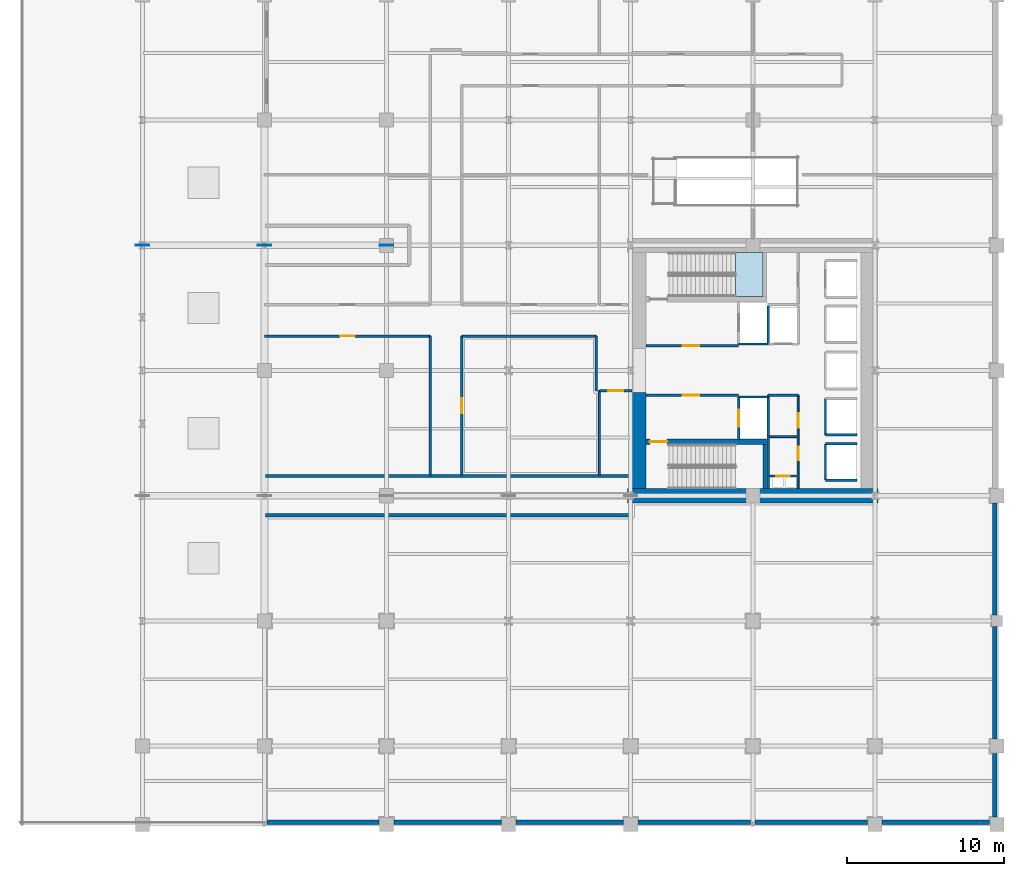
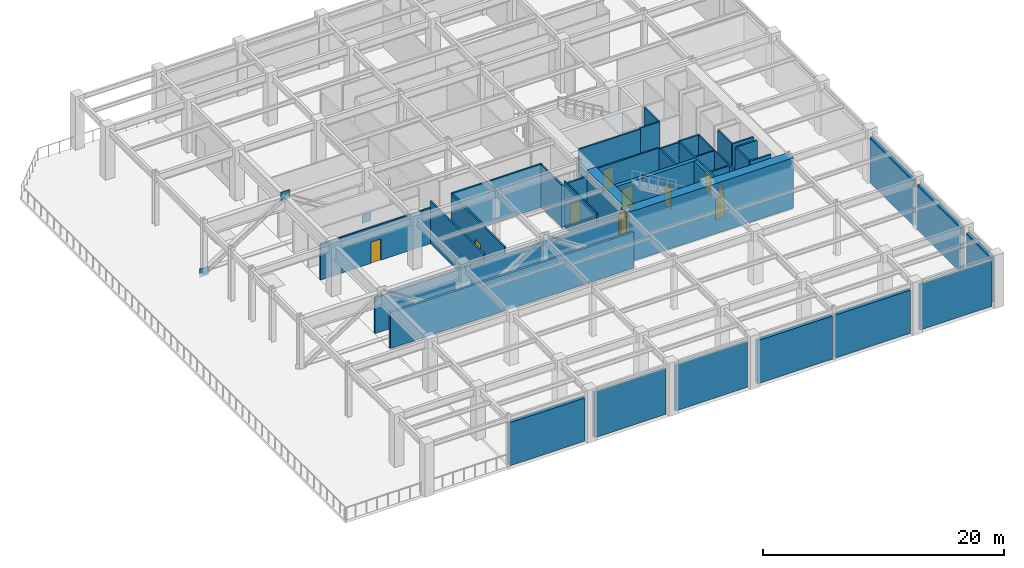
# One storey, part 8 of 14: 38 walls, 10 doors, 3 plates, 1 slab, 10 openings, 1 element without a shape of its own.
"""IFC4 building model written with IfcOpenShell, lengths in metres."""

import ifcopenshell
import ifcopenshell.guid

model = None  # the IFC model being written
_history = None  # IfcOwnerHistory: only IFC2X3 demands one
_inside = {}  # id of a spatial element -> (the spatial element, [elements in it])
_under = {}  # id of a project, library or spatial element -> (it, [spatial elements below it])
_declared = {}  # id of a project -> (the project, [libraries it declares])
_typed = {}  # id of a type object -> (the type object, [elements of that type])
_made_of = {}  # id of a material, layer set ... -> (it, [elements and type objects made of it])


def new_model(schema):
    """Start an empty IFC model of exactly this schema.

    Asked for "IFC4X3", IfcOpenShell would pick the latest addendum, in which some entities
    have other attributes; the version numbers below select the first issue.
    IFC2X3 requires an IfcOwnerHistory on every rooted entity: one is made here for all.
    """
    global model, _history
    if schema == "IFC4X3":
        model = ifcopenshell.file(schema_version=(4, 3, 0, 0))
    else:
        model = ifcopenshell.file(schema=schema)
    _inside.clear()
    _under.clear()
    _declared.clear()
    _typed.clear()
    _made_of.clear()
    _history = None
    if model.schema == "IFC2X3":
        org = make("IfcOrganization", Name="unknown")
        user = make(
            "IfcPersonAndOrganization",
            ThePerson=make("IfcPerson", FamilyName="unknown"),
            TheOrganization=org,
        )
        app = make(
            "IfcApplication",
            ApplicationDeveloper=org,
            Version="unknown",
            ApplicationFullName="unknown",
            ApplicationIdentifier="unknown",
        )
        _history = make(
            "IfcOwnerHistory",
            OwningUser=user,
            OwningApplication=app,
            ChangeAction="ADDED",
            CreationDate=0,
        )
    return model


def make(cls, **values):
    """One entity of the class cls with the attributes given. An attribute that is None is left unset."""
    return model.create_entity(
        cls, **{name: value for name, value in values.items() if value is not None}
    )


def rooted(cls, **values):
    """An entity with a GlobalId (a new one), such as an element, a storey or a relation."""
    return make(cls, GlobalId=ifcopenshell.guid.new(), OwnerHistory=_history, **values)


def si_unit(unit_type, name, prefix=None):
    """IfcSIUnit, for example si_unit("LENGTHUNIT", "METRE", prefix="MILLI")."""
    return make("IfcSIUnit", UnitType=unit_type, Prefix=prefix, Name=name)


def assignment(units):
    """IfcUnitAssignment: the units of a project."""
    return None if units is None else make("IfcUnitAssignment", Units=units)


def point(xyz):
    """IfcCartesianPoint."""
    return None if xyz is None else make("IfcCartesianPoint", Coordinates=xyz)


def direction(xyz):
    """IfcDirection."""
    return None if xyz is None else make("IfcDirection", DirectionRatios=xyz)


def frame(location, z_axis=None, x_axis=None):
    """IfcAxis2Placement3D, a coordinate frame: its origin and axes. An axis left out is left unset."""
    return make(
        "IfcAxis2Placement3D",
        Location=point(location),
        Axis=direction(z_axis),
        RefDirection=direction(x_axis),
    )


def frame_2d(location, x_axis=None):
    """IfcAxis2Placement2D, a coordinate frame in the plane: its origin and x axis."""
    return make(
        "IfcAxis2Placement2D", Location=point(location), RefDirection=direction(x_axis)
    )


def origin():
    """The frame at (0, 0, 0) with its axes left unset."""
    return frame((0.0, 0.0, 0.0))


def origin_2d():
    """The frame at (0, 0) in the plane with its x axis left unset."""
    return frame_2d((0.0, 0.0))


def place(relative_to, where):
    """IfcLocalPlacement: puts the frame where relative to a parent placement (None: the world)."""
    return make(
        "IfcLocalPlacement", PlacementRelTo=relative_to, RelativePlacement=where
    )


def context(
    kind, dimensions, precision=None, world=None, true_north=None, identifier=None
):
    """IfcGeometricRepresentationContext, for example the 3D "Model" context."""
    return make(
        "IfcGeometricRepresentationContext",
        ContextIdentifier=identifier,
        ContextType=kind,
        CoordinateSpaceDimension=dimensions,
        Precision=precision,
        WorldCoordinateSystem=world,
        TrueNorth=true_north,
    )


def subcontext(parent, identifier, kind, view, scale=None):
    """IfcGeometricRepresentationSubContext, for example "Body" below "Model"."""
    return make(
        "IfcGeometricRepresentationSubContext",
        ContextIdentifier=identifier,
        ContextType=kind,
        ParentContext=parent,
        TargetScale=scale,
        TargetView=view,
    )


def project(units=None, contexts=None):
    """IfcProject with its units and contexts."""
    return rooted(
        "IfcProject",
        Name="project",
        RepresentationContexts=contexts,
        UnitsInContext=assignment(units),
    )


def spatial(cls, under=None, at=None, **own):
    """A site, building, storey or space (cls), placed at a placement, below another one or the project."""
    s = rooted(cls, ObjectPlacement=at, **own)
    if under is not None:
        _under.setdefault(under.id(), (under, []))[1].append(s)
    return s


def polyline(points):
    """IfcPolyline through the points."""
    return make("IfcPolyline", Points=[point(p) for p in points])


def profile(cls, at=None, kind="AREA", **sizes):
    """A parametric profile (cls). Its sizes go by their IFC names, for example OverallWidth=200.0."""
    return make(cls, ProfileType=kind, Position=at, **sizes)


def rectangle(**sizes):
    """IfcRectangleProfileDef."""
    return profile("IfcRectangleProfileDef", **sizes)


def outline(outer, holes=None, kind="AREA"):
    """IfcArbitraryClosedProfileDef: a profile drawn as a closed curve; with holes, ...WithVoids."""
    if holes is None:
        return make("IfcArbitraryClosedProfileDef", ProfileType=kind, OuterCurve=outer)
    return make(
        "IfcArbitraryProfileDefWithVoids",
        ProfileType=kind,
        OuterCurve=outer,
        InnerCurves=holes,
    )


def extrude(swept, where, along, depth):
    """IfcExtrudedAreaSolid: the profile swept, set in the frame where, extruded along a direction by depth."""
    return make(
        "IfcExtrudedAreaSolid",
        SweptArea=swept,
        Position=where,
        ExtrudedDirection=direction(along),
        Depth=depth,
    )


def shape(context_of_items, identifier, shape_type, items):
    """IfcShapeRepresentation: the items that make up one representation, for example the "Body"."""
    return make(
        "IfcShapeRepresentation",
        ContextOfItems=context_of_items,
        RepresentationIdentifier=identifier,
        RepresentationType=shape_type,
        Items=items,
    )


def material(Name=None, Category=None):
    """IfcMaterial."""
    return make("IfcMaterial", Name=Name, Category=Category)


def layer(
    of_material, thickness, ventilated=None, Name=None, Category=None, Priority=None
):
    """IfcMaterialLayer: one layer of a wall or slab, of a material (None: an air gap)."""
    return make(
        "IfcMaterialLayer",
        Material=of_material,
        LayerThickness=thickness,
        IsVentilated=ventilated,
        Name=Name,
        Category=Category,
        Priority=Priority,
    )


def layer_set(layers, Name=None):
    """IfcMaterialLayerSet."""
    return make("IfcMaterialLayerSet", MaterialLayers=layers, LayerSetName=Name)


def made_of(thing, what):
    """Note that an element or type object is made of a material, layer set ...; save() writes the relation."""
    if what is not None:
        _made_of.setdefault(what.id(), (what, []))[1].append(thing)
    return thing


def type_object(cls, material=None, **own):
    """A type object (cls), such as IfcWallType, which elements share."""
    return made_of(rooted(cls, **own), material)


def element(
    cls,
    number,
    at=None,
    inside=None,
    cuts=None,
    type_object=None,
    material=None,
    context=None,
    identifier="Body",
    shape_type=None,
    held_by="IfcProductDefinitionShape",
    body=None,
    shapes=None,
    **own,
):
    """One element of the class cls, such as IfcWall. Its Tag is "e" and its number.

    at: its placement. inside: the storey or other place that contains it. cuts: it is an
    opening in that element (IfcRelVoidsElement). A single representation is given by context,
    identifier, shape_type and body (its items); several are given by shapes. held_by: the class
    of the entity that holds the representations. save() writes the other relations.
    """
    e = rooted(cls, Tag="e%d" % number, ObjectPlacement=at, **own)
    if body is not None:
        shapes = [shape(context, identifier, shape_type, body)]
    if shapes is not None:
        e.Representation = make(held_by, Representations=shapes)
    if inside is not None:
        _inside.setdefault(inside.id(), (inside, []))[1].append(e)
    if cuts is not None:
        rooted(
            "IfcRelVoidsElement", RelatingBuildingElement=cuts, RelatedOpeningElement=e
        )
    if type_object is not None:
        _typed.setdefault(type_object.id(), (type_object, []))[1].append(e)
    return made_of(e, material)


def fill(opening, filler):
    """IfcRelFillsElement: the door or window that sits in an opening."""
    return rooted(
        "IfcRelFillsElement",
        RelatingOpeningElement=opening,
        RelatedBuildingElement=filler,
    )


def aggregate(whole, parts):
    """IfcRelAggregates: a whole, such as a stair, and the parts it consists of."""
    return rooted("IfcRelAggregates", RelatingObject=whole, RelatedObjects=parts)


def save(model, path):
    """Write the relations noted so far, then the file.

    IfcRelAggregates (storeys below a building ...), IfcRelContainedInSpatialStructure (elements
    in a storey), IfcRelDefinesByType, IfcRelAssociatesMaterial and IfcRelDeclares: one each for
    every whole, place, type object, material and project.
    """
    for whole, parts in _under.values():
        aggregate(whole, parts)
    for where, things in _inside.values():
        rooted(
            "IfcRelContainedInSpatialStructure",
            RelatedElements=things,
            RelatingStructure=where,
        )
    for kind, things in _typed.values():
        rooted("IfcRelDefinesByType", RelatedObjects=things, RelatingType=kind)
    for what, things in _made_of.values():
        rooted("IfcRelAssociatesMaterial", RelatedObjects=things, RelatingMaterial=what)
    for by, libraries in _declared.values():
        rooted("IfcRelDeclares", RelatingContext=by, RelatedDefinitions=libraries)
    model.write(path)


model = new_model("IFC4")

# Units and contexts
model_context = context("Model", 3, precision=1e-05, world=origin(), true_north=direction((0.0, 1.0)))
body_context = subcontext(model_context, "Body", "Model", "MODEL_VIEW")
ifc_project = project(units=[si_unit("LENGTHUNIT", "METRE"), si_unit("AREAUNIT", "SQUARE_METRE"), si_unit("VOLUMEUNIT", "CUBIC_METRE"), si_unit("PLANEANGLEUNIT", "RADIAN"), si_unit("MASSUNIT", "GRAM", prefix="KILO")], contexts=[model_context])

# Site, building, storey
site_placement = place(None, origin())
site = spatial("IfcSite", under=ifc_project, at=site_placement, CompositionType="ELEMENT")
building_placement = place(site_placement, origin())
building = spatial("IfcBuilding", under=site, at=building_placement, Name="Veymaron Broadcast Tower", CompositionType="ELEMENT")
storey_placement = place(building_placement, frame((0.0, 0.0, 27.0)))
storey = spatial("IfcBuildingStorey", under=building, at=storey_placement, Name="L05", CompositionType="ELEMENT", Elevation=27.0)

# Plates
ifc_material_1 = material(Name="Structural steel ASTM A913 Gr 65", Category="steel")
ifc_layer_1 = layer(ifc_material_1, 0.044921875)
ifc_layer_set_1 = layer_set([ifc_layer_1], Name="Structural steel ASTM A913 Gr 65")
plate_type = type_object("IfcPlateType", Name="PLT-NODE-TN1", PredefinedType="SHEET", material=ifc_layer_set_1)
for number, where, z_axis, x_axis, name in (
    (1, (7.800048828125, 32.0, -0.405029296875), (0.0, 0.0, 1.0), (1.0, 0.0, 0.0), "L05 Studio Transfer Truss TT2 gusset node TN1"),
    (2, (15.60009765625, 32.0, 4.635009765625), (0.0, 0.0, 1.0), (1.0, 0.0, 0.0), "L05 Studio Transfer Truss TT2 gusset node TN1"),
    (3, (23.39990234375, 32.0, -0.405029296875), (0.0, 0.0, 1.0), (1.0, 0.0, 0.0), "L05 Studio Transfer Truss TT2 gusset node TN1"),
):
    element("IfcPlate", number, at=place(storey_placement, frame(where, z_axis=z_axis, x_axis=x_axis)), inside=storey, type_object=plate_type, Name=name, PredefinedType="SHEET", context=body_context, shape_type="SweptSolid", body=[
        extrude(rectangle(XDim=0.85009765625, YDim=0.044921875, at=origin_2d()), origin(), (0.0, 0.0, 1.0), 0.85009765625),
    ])

# Stair, slab
ifc_material_2 = material(Name="Concrete C50/60", Category="concrete")
stair_type = type_object("IfcStairType", Name="STAIR-CORE-1", PredefinedType="HALF_TURN_STAIR", material=ifc_material_2)
stair_placement = place(storey_placement, origin())
stair = element("IfcStair", 4, at=stair_placement, inside=storey, type_object=stair_type, Name="L05 North protected dog-leg exit stair ST1", PredefinedType="HALF_TURN_STAIR")
ifc_layer_2 = layer(ifc_material_2, 0.199951171875)
ifc_layer_set_2 = layer_set([ifc_layer_2], Name="Concrete C50/60")
slab_type = type_object("IfcSlabType", Name="SLAB-STAIR-LDG", PredefinedType="LANDING", material=ifc_layer_set_2)
slab_placement = place(storey_placement, frame((0.0, 0.0, 2.5)))
slab = element("IfcSlab", 5, at=slab_placement, type_object=slab_type, Name="ST1 landing 1", PredefinedType="LANDING", context=body_context, shape_type="SweptSolid", body=[
    extrude(outline(polyline([(45.705078125, 28.72998046875), (47.43994140625, 28.72998046875), (47.43994140625, 31.550048828125), (45.705078125, 31.550048828125), (45.705078125, 28.72998046875)])), origin(), (0.0, 0.0, 1.0), 0.199951171875),
])
aggregate(stair, [slab])

# Walls
ifc_material_3 = material(Name="Precast concrete C40/50 with mineral-wool insulation", Category="concrete")
ifc_layer_3 = layer(ifc_material_3, 0.300048828125)
ifc_layer_set_3 = layer_set([ifc_layer_3], Name="Precast concrete C40/50 with mineral-wool insulation")
wall_type_1 = type_object("IfcWallType", Name="WALL-EXT-300", PredefinedType="STANDARD", material=ifc_layer_set_3)
wall_1_placement = place(storey_placement, frame((15.74609375, -4.860107421875, 0.0), z_axis=(0.0, 0.0, 1.0), x_axis=(1.0, 0.0, 0.0)))
element("IfcWall", 6, at=wall_1_placement, inside=storey, type_object=wall_type_1, Name="L05 notched corner facade pier 2-1", PredefinedType="STANDARD", context=body_context, shape_type="SweptSolid", body=[
    extrude(rectangle(XDim=7.185791015625, YDim=0.300048828125, at=frame_2d((3.5927734375, 0.0))), origin(), (0.0, 0.0, 1.0), 4.375),
])
for number, where, z_axis, x_axis, name in (
    (7, (23.867919921875, -4.860107421875, 0.0), (0.0, 0.0, 1.0), (1.0, 0.0, 0.0), "L05 notched corner facade pier 2-2"),
    (8, (31.66796875, -4.860107421875, 0.0), (0.0, 0.0, 1.0), (1.0, 0.0, 0.0), "L05 notched corner facade pier 2-3"),
):
    element("IfcWall", number, at=place(storey_placement, frame(where, z_axis=z_axis, x_axis=x_axis)), inside=storey, type_object=wall_type_1, Name=name, PredefinedType="STANDARD", context=body_context, shape_type="SweptSolid", body=[
        extrude(rectangle(XDim=6.864013671875, YDim=0.300048828125, at=frame_2d((3.43212890625, 0.0))), origin(), (0.0, 0.0, 1.0), 4.60791015625),
    ])
for number, where, z_axis, x_axis, name in (
    (9, (39.468017578125, -4.860107421875, 0.0), (0.0, 0.0, 1.0), (1.0, 0.0, 0.0), "L05 notched corner facade pier 2-4"),
    (10, (46.946044921875, -4.860107421875, 0.0), (0.0, 0.0, 1.0), (1.0, 0.0, 0.0), "L05 notched corner facade pier 2-5"),
):
    element("IfcWall", number, at=place(storey_placement, frame(where, z_axis=z_axis, x_axis=x_axis)), inside=storey, type_object=wall_type_1, Name=name, PredefinedType="STANDARD", context=body_context, shape_type="SweptSolid", body=[
        extrude(rectangle(XDim=7.18603515625, YDim=0.300048828125, at=frame_2d((3.593017578125, 0.0))), origin(), (0.0, 0.0, 1.0), 4.375),
    ])
wall_2_placement = place(storey_placement, frame((55.068115234375, -4.860107421875, 0.0), z_axis=(0.0, 0.0, 1.0), x_axis=(1.0, 0.0, 0.0)))
element("IfcWall", 11, at=wall_2_placement, inside=storey, type_object=wall_type_1, Name="L05 notched corner facade pier 2-6", PredefinedType="STANDARD", context=body_context, shape_type="SweptSolid", body=[
    extrude(rectangle(XDim=6.86376953125, YDim=0.300048828125, at=frame_2d((3.431884765625, 0.0))), origin(), (0.0, 0.0, 1.0), 4.60791015625),
])
wall_3_placement = place(storey_placement, frame((62.260009765625, -4.531982421875, 0.0), z_axis=(0.0, 0.0, 1.0), x_axis=(0.0, 1.0, 0.0)))
element("IfcWall", 12, at=wall_3_placement, inside=storey, type_object=wall_type_1, Name="L05 notched corner facade pier 3-1", PredefinedType="STANDARD", context=body_context, shape_type="SweptSolid", body=[
    extrude(rectangle(XDim=4.06396484375, YDim=0.300048828125, at=frame_2d((2.031982421875, 0.0))), origin(), (0.0, 0.0, 1.0), 4.60791015625),
])
for number, where, z_axis, x_axis, name in (
    (13, (62.260009765625, 0.468017578125, 0.0), (0.0, 0.0, 1.0), (0.0, 1.0, 0.0), "L05 notched corner facade pier 3-2"),
    (14, (62.260009765625, 8.367919921875, 0.0), (0.0, 0.0, 1.0), (0.0, 1.0, 0.0), "L05 notched corner facade pier 3-3"),
):
    element("IfcWall", number, at=place(storey_placement, frame(where, z_axis=z_axis, x_axis=x_axis)), inside=storey, type_object=wall_type_1, Name=name, PredefinedType="STANDARD", context=body_context, shape_type="SweptSolid", body=[
        extrude(rectangle(XDim=7.1640625, YDim=0.300048828125, at=frame_2d((3.58203125, 0.0))), origin(), (0.0, 0.0, 1.0), 4.60791015625),
    ])

# Wall, opening, door
ifc_material_4 = material(Name="Gypsum fireboard and steel stud framing", Category="steel")
ifc_layer_4 = layer(ifc_material_4, 0.14990234375)
ifc_layer_set_4 = layer_set([ifc_layer_4], Name="Gypsum fireboard and steel stud framing")
wall_type_2 = type_object("IfcWallType", Name="WALL-FIRE-150", PredefinedType="PARTITIONING", material=ifc_layer_set_4)
wall_4_placement = place(storey_placement, frame((39.97998046875, 25.574951171875, 0.0), z_axis=(0.0, 0.0, 1.0), x_axis=(1.0, 0.0, 0.0)))
wall_4 = element("IfcWall", 15, at=wall_4_placement, inside=storey, type_object=wall_type_2, Name="L05 partition IW-L05-FFLN-S", PredefinedType="PARTITIONING", context=body_context, shape_type="SweptSolid", body=[
    extrude(rectangle(XDim=5.89990234375, YDim=0.14990234375, at=frame_2d((2.949951171875, 0.0))), origin(), (0.0, 0.0, 1.0), 5.080078125),
])
opening_1_placement = place(wall_4_placement, frame((2.35009765625, 0.0, 0.0)))
opening_1 = element("IfcOpeningElement", 16, at=opening_1_placement, cuts=wall_4, Name="Opening ID-FL1", PredefinedType="OPENING", context=body_context, shape_type="SweptSolid", body=[
    extrude(rectangle(XDim=1.050048828125, YDim=2.14990234375, at=frame_2d((0.52490234375, 1.074951171875))), frame((0.0, 0.0849609375, 0.0), z_axis=(0.0, -1.0, 0.0), x_axis=(1.0, 0.0, 0.0)), (0.0, 0.0, 1.0), 0.169921875),
])
ifc_material_5 = material(Name="Fire-rated painted hollow steel ASTM A653", Category="steel")
door_type_1 = type_object("IfcDoorType", Name="DOOR-FIRE-1050", OperationType="NOTDEFINED", PredefinedType="DOOR", material=ifc_material_5)
door_1_placement = place(opening_1_placement, origin())
door_1 = element("IfcDoor", 17, at=door_1_placement, inside=storey, type_object=door_type_1, Name="L05 door DR-L05-FFLN", OperationType="SINGLE_SWING_LEFT", OverallHeight=2.14990234375, OverallWidth=1.050048828125, PredefinedType="DOOR", context=body_context, shape_type="SweptSolid", body=[
    extrude(rectangle(XDim=1.050048828125, YDim=2.14990234375, at=frame_2d((0.52490234375, 1.074951171875))), frame((0.0, 0.02490234375, 0.0), z_axis=(0.0, -1.0, 0.0), x_axis=(1.0, 0.0, 0.0)), (0.0, 0.0, 1.0), 0.050048828125),
])
fill(opening_1, door_1)

wall_5_placement = place(storey_placement, frame((39.97998046875, 22.425048828125, 0.0), z_axis=(0.0, 0.0, 1.0), x_axis=(1.0, 0.0, 0.0)))
wall_5 = element("IfcWall", 18, at=wall_5_placement, inside=storey, type_object=wall_type_2, Name="L05 partition IW-L05-FFLS-N", PredefinedType="PARTITIONING", context=body_context, shape_type="SweptSolid", body=[
    extrude(rectangle(XDim=5.89990234375, YDim=0.14990234375, at=frame_2d((2.949951171875, 0.0))), origin(), (0.0, 0.0, 1.0), 5.080078125),
])
opening_2_placement = place(wall_5_placement, frame((2.35009765625, 0.0, 0.0)))
opening_2 = element("IfcOpeningElement", 19, at=opening_2_placement, cuts=wall_5, Name="Opening ID-FL1", PredefinedType="OPENING", context=body_context, shape_type="SweptSolid", body=[
    extrude(rectangle(XDim=1.050048828125, YDim=2.14990234375, at=frame_2d((0.52490234375, 1.074951171875))), frame((0.0, 0.0849609375, 0.0), z_axis=(0.0, -1.0, 0.0), x_axis=(1.0, 0.0, 0.0)), (0.0, 0.0, 1.0), 0.169921875),
])
door_2_placement = place(opening_2_placement, frame((1.050048828125, 0.0, 0.0), z_axis=(0.0, 0.0, 1.0), x_axis=(-1.0, 0.0, 0.0)))
door_2 = element("IfcDoor", 20, at=door_2_placement, inside=storey, type_object=door_type_1, Name="L05 door DR-L05-FFLS", OperationType="SINGLE_SWING_RIGHT", OverallHeight=2.14990234375, OverallWidth=1.050048828125, PredefinedType="DOOR", context=body_context, shape_type="SweptSolid", body=[
    extrude(rectangle(XDim=1.050048828125, YDim=2.14990234375, at=frame_2d((0.52490234375, 1.074951171875))), frame((0.0, 0.02490234375, 0.0), z_axis=(0.0, -1.0, 0.0), x_axis=(1.0, 0.0, 0.0)), (0.0, 0.0, 1.0), 0.050048828125),
])
fill(opening_2, door_2)

# Wall
wall_6_placement = place(storey_placement, frame((45.89501953125, 25.68994140625, 0.0), z_axis=(0.0, 0.0, 1.0), x_axis=(1.0, 0.0, 0.0)))
element("IfcWall", 21, at=wall_6_placement, inside=storey, type_object=wall_type_2, Name="L05 partition IW-L05-SHS-FFL-1", PredefinedType="PARTITIONING", context=body_context, shape_type="SweptSolid", body=[
    extrude(rectangle(XDim=1.9150390625, YDim=0.14990234375, at=frame_2d((0.95751953125, 0.0))), origin(), (0.0, 0.0, 1.0), 5.080078125),
])

# Wall, opening, door
wall_7_placement = place(storey_placement, frame((45.89501953125, 19.590087890625, 0.0), z_axis=(0.0, 0.0, 1.0), x_axis=(0.0, 1.0, 0.0)))
wall_7 = element("IfcWall", 22, at=wall_7_placement, inside=storey, type_object=wall_type_2, Name="L05 partition IW-L05-SHW-FFL-2", PredefinedType="PARTITIONING", context=body_context, shape_type="SweptSolid", body=[
    extrude(rectangle(XDim=2.719970703125, YDim=0.14990234375, at=frame_2d((1.35986328125, 0.0))), origin(), (0.0, 0.0, 1.0), 5.080078125),
])
opening_3_placement = place(wall_7_placement, frame((0.81005859375, 0.0, 0.0)))
opening_3 = element("IfcOpeningElement", 23, at=opening_3_placement, cuts=wall_7, Name="Opening LD", PredefinedType="OPENING", context=body_context, shape_type="SweptSolid", body=[
    extrude(rectangle(XDim=1.10009765625, YDim=2.14990234375, at=frame_2d((0.550048828125, 1.074951171875))), frame((0.0, 0.0849609375, 0.0), z_axis=(0.0, -1.0, 0.0), x_axis=(1.0, 0.0, 0.0)), (0.0, 0.0, 1.0), 0.169921875),
])
ifc_material_6 = material(Name="Brushed stainless steel AISI 304", Category="steel")
door_type_2 = type_object("IfcDoorType", Name="DOOR-LIFT-1100", OperationType="DOUBLE_DOOR_SLIDING", PredefinedType="DOOR", material=ifc_material_6)
door_3_placement = place(opening_3_placement, frame((1.10009765625, 0.0, 0.0), z_axis=(0.0, 0.0, 1.0), x_axis=(-1.0, 0.0, 0.0)))
door_3 = element("IfcDoor", 24, at=door_3_placement, inside=storey, type_object=door_type_2, Name="L05 door LD-L05-FFL-2", OperationType="DOUBLE_DOOR_SLIDING", OverallHeight=2.14990234375, OverallWidth=1.10009765625, PredefinedType="DOOR", context=body_context, shape_type="SweptSolid", body=[
    extrude(rectangle(XDim=1.10009765625, YDim=2.14990234375, at=frame_2d((0.550048828125, 1.074951171875))), frame((0.0, 0.02490234375, 0.0), z_axis=(0.0, -1.0, 0.0), x_axis=(1.0, 0.0, 0.0)), (0.0, 0.0, 1.0), 0.050048828125),
])
fill(opening_3, door_3)

# Walls
wall_8_placement = place(storey_placement, frame((45.89501953125, 22.31005859375, 0.0), z_axis=(0.0, 0.0, 1.0), x_axis=(1.0, 0.0, 0.0)))
element("IfcWall", 25, at=wall_8_placement, inside=storey, type_object=wall_type_2, Name="L05 partition IW-L05-SHN-FFL-2", PredefinedType="PARTITIONING", context=body_context, shape_type="SweptSolid", body=[
    extrude(rectangle(XDim=1.9150390625, YDim=0.14990234375, at=frame_2d((0.95751953125, 0.0))), origin(), (0.0, 0.0, 1.0), 5.080078125),
])
wall_9_placement = place(storey_placement, frame((47.7900390625, 25.695068359375, 0.0), z_axis=(0.0, 0.0, 1.0), x_axis=(0.0, 1.0, 0.0)))
element("IfcWall", 26, at=wall_9_placement, inside=storey, type_object=wall_type_2, Name="L05 partition IW-L05-SHW-SL-1", PredefinedType="PARTITIONING", context=body_context, shape_type="SweptSolid", body=[
    extrude(rectangle(XDim=2.4150390625, YDim=0.14990234375, at=frame_2d((1.20751953125, 0.0))), origin(), (0.0, 0.0, 1.0), 5.080078125),
])
wall_10_placement = place(storey_placement, frame((51.445068359375, 19.889892578125, 0.0), z_axis=(0.0, 0.0, 1.0), x_axis=(0.0, 1.0, 0.0)))
element("IfcWall", 27, at=wall_10_placement, inside=storey, type_object=wall_type_2, Name="L05 partition IW-L05-SHW-PM2", PredefinedType="PARTITIONING", context=body_context, shape_type="SweptSolid", body=[
    extrude(rectangle(XDim=2.320068359375, YDim=0.14990234375, at=frame_2d((1.16015625, 0.0))), origin(), (0.0, 0.0, 1.0), 5.080078125),
])
wall_11_placement = place(storey_placement, frame((51.445068359375, 19.889892578125, 0.0), z_axis=(0.0, 0.0, 1.0), x_axis=(1.0, 0.0, 0.0)))
element("IfcWall", 28, at=wall_11_placement, inside=storey, type_object=wall_type_2, Name="L05 partition IW-L05-SHS-PM2", PredefinedType="PARTITIONING", context=body_context, shape_type="SweptSolid", body=[
    extrude(rectangle(XDim=2.014892578125, YDim=0.14990234375, at=frame_2d((1.00732421875, 0.0))), origin(), (0.0, 0.0, 1.0), 5.080078125),
])
wall_12_placement = place(storey_placement, frame((51.445068359375, 16.989990234375, 0.0), z_axis=(0.0, 0.0, 1.0), x_axis=(0.0, 1.0, 0.0)))
element("IfcWall", 29, at=wall_12_placement, inside=storey, type_object=wall_type_2, Name="L05 partition IW-L05-SHW-PH1", PredefinedType="PARTITIONING", context=body_context, shape_type="SweptSolid", body=[
    extrude(rectangle(XDim=2.320068359375, YDim=0.14990234375, at=frame_2d((1.16015625, 0.0))), origin(), (0.0, 0.0, 1.0), 5.080078125),
])
for number, where, z_axis, x_axis, name in (
    (30, (51.445068359375, 16.989990234375, 0.0), (0.0, 0.0, 1.0), (1.0, 0.0, 0.0), "L05 partition IW-L05-SHS-PH1"),
    (31, (51.445068359375, 19.31005859375, 0.0), (0.0, 0.0, 1.0), (1.0, 0.0, 0.0), "L05 partition IW-L05-SHN-PH1"),
):
    element("IfcWall", number, at=place(storey_placement, frame(where, z_axis=z_axis, x_axis=x_axis)), inside=storey, type_object=wall_type_2, Name=name, PredefinedType="PARTITIONING", context=body_context, shape_type="SweptSolid", body=[
        extrude(rectangle(XDim=2.014892578125, YDim=0.14990234375, at=frame_2d((1.00732421875, 0.0))), origin(), (0.0, 0.0, 1.0), 5.080078125),
    ])

# Wall, opening, door
wall_13_placement = place(storey_placement, frame((47.8798828125, 17.260009765625, 0.0), z_axis=(0.0, 0.0, 1.0), x_axis=(1.0, 0.0, 0.0)))
wall_13 = element("IfcWall", 32, at=wall_13_placement, inside=storey, type_object=wall_type_2, Name="L05 partition IW-L05-RIS-N", PredefinedType="PARTITIONING", context=body_context, shape_type="SweptSolid", body=[
    extrude(rectangle(XDim=1.72021484375, YDim=0.14990234375, at=frame_2d((0.860107421875, 0.0))), origin(), (0.0, 0.0, 1.0), 5.080078125),
])
opening_4_placement = place(wall_13_placement, frame((0.419921875, 0.0, 0.0)))
opening_4 = element("IfcOpeningElement", 33, at=opening_4_placement, cuts=wall_13, Name="Opening ID-RS1", PredefinedType="OPENING", context=body_context, shape_type="SweptSolid", body=[
    extrude(rectangle(XDim=0.85009765625, YDim=2.14990234375, at=frame_2d((0.425048828125, 1.074951171875))), frame((0.0, 0.0849609375, 0.0), z_axis=(0.0, -1.0, 0.0), x_axis=(1.0, 0.0, 0.0)), (0.0, 0.0, 1.0), 0.169921875),
])
ifc_material_7 = material(Name="Fire-rated powder-coated steel riser leaf", Category="steel")
door_type_3 = type_object("IfcDoorType", Name="DOOR-RIS-850", OperationType="NOTDEFINED", PredefinedType="TRAPDOOR", material=ifc_material_7)
door_4_placement = place(opening_4_placement, origin())
door_4 = element("IfcDoor", 34, at=door_4_placement, inside=storey, type_object=door_type_3, Name="L05 door DR-L05-RIS", OperationType="SINGLE_SWING_LEFT", OverallHeight=2.14990234375, OverallWidth=0.85009765625, PredefinedType="TRAPDOOR", context=body_context, shape_type="SweptSolid", body=[
    extrude(rectangle(XDim=0.85009765625, YDim=2.14990234375, at=frame_2d((0.425048828125, 1.074951171875))), frame((0.0, 0.02490234375, 0.0), z_axis=(0.0, -1.0, 0.0), x_axis=(1.0, 0.0, 0.0)), (0.0, 0.0, 1.0), 0.050048828125),
])
fill(opening_4, door_4)

# Walls
wall_14_placement = place(storey_placement, frame((47.760009765625, 22.425048828125, 0.0), z_axis=(0.0, 0.0, 1.0), x_axis=(1.0, 0.0, 0.0)))
element("IfcWall", 35, at=wall_14_placement, inside=storey, type_object=wall_type_2, Name="L05 partition IW-L05-SM-N", PredefinedType="PARTITIONING", context=body_context, shape_type="SweptSolid", body=[
    extrude(rectangle(XDim=1.9599609375, YDim=0.14990234375, at=frame_2d((0.97998046875, 0.0))), origin(), (0.0, 0.0, 1.0), 5.080078125),
])
wall_15_placement = place(storey_placement, frame((47.780029296875, 16.449951171875, 0.0), z_axis=(0.0, 0.0, 1.0), x_axis=(0.0, 1.0, 0.0)))
element("IfcWall", 36, at=wall_15_placement, inside=storey, type_object=wall_type_2, Name="L05 partition IW-L05-SM-W", PredefinedType="PARTITIONING", context=body_context, shape_type="SweptSolid", body=[
    extrude(rectangle(XDim=5.97509765625, YDim=0.14990234375, at=frame_2d((2.987548828125, 0.0))), origin(), (0.0, 0.0, 1.0), 5.080078125),
])

# Wall, opening, door
wall_16_placement = place(storey_placement, frame((37.0, 22.699951171875, 0.0), z_axis=(0.0, 0.0, 1.0), x_axis=(1.0, 0.0, 0.0)))
wall_16 = element("IfcWall", 37, at=wall_16_placement, inside=storey, type_object=wall_type_2, Name="L05 partition IW-L05-P01", PredefinedType="PARTITIONING", context=body_context, shape_type="SweptSolid", body=[
    extrude(rectangle(XDim=2.080078125, YDim=0.14990234375, at=frame_2d((1.0400390625, 0.0))), origin(), (0.0, 0.0, 1.0), 4.375),
])
opening_5_placement = place(wall_16_placement, frame((0.56494140625, 0.0, 0.0)))
opening_5 = element("IfcOpeningElement", 38, at=opening_5_placement, cuts=wall_16, Name="Opening ID-RM1", PredefinedType="OPENING", context=body_context, shape_type="SweptSolid", body=[
    extrude(rectangle(XDim=0.949951171875, YDim=2.14990234375, at=frame_2d((0.47509765625, 1.074951171875))), frame((0.0, 0.0849609375, 0.0), z_axis=(0.0, -1.0, 0.0), x_axis=(1.0, 0.0, 0.0)), (0.0, 0.0, 1.0), 0.169921875),
])
ifc_material_8 = material(Name="Acoustic solid-core European oak veneer timber", Category="wood")
door_type_4 = type_object("IfcDoorType", Name="DOOR-INT-950", OperationType="NOTDEFINED", PredefinedType="DOOR", material=ifc_material_8)
door_5_placement = place(opening_5_placement, frame((0.949951171875, 0.0, 0.0), z_axis=(0.0, 0.0, 1.0), x_axis=(-1.0, 0.0, 0.0)))
door_5 = element("IfcDoor", 39, at=door_5_placement, inside=storey, type_object=door_type_4, Name="L05 door DR-L05-P01", OperationType="SINGLE_SWING_RIGHT", OverallHeight=2.14990234375, OverallWidth=0.949951171875, PredefinedType="DOOR", context=body_context, shape_type="SweptSolid", body=[
    extrude(rectangle(XDim=0.949951171875, YDim=2.14990234375, at=frame_2d((0.47509765625, 1.074951171875))), frame((0.0, 0.02490234375, 0.0), z_axis=(0.0, -1.0, 0.0), x_axis=(1.0, 0.0, 0.0)), (0.0, 0.0, 1.0), 0.050048828125),
])
fill(opening_5, door_5)

wall_17_placement = place(storey_placement, frame((28.199951171875, 17.300048828125, 0.0), z_axis=(0.0, 0.0, 1.0), x_axis=(0.0, 1.0, 0.0)))
wall_17 = element("IfcWall", 40, at=wall_17_placement, inside=storey, type_object=wall_type_2, Name="L05 partition IW-L05-P02", PredefinedType="PARTITIONING", context=body_context, shape_type="SweptSolid", body=[
    extrude(rectangle(XDim=8.89990234375, YDim=0.14990234375, at=frame_2d((4.449951171875, 0.0))), origin(), (0.0, 0.0, 1.0), 4.298095703125),
])
opening_6_placement = place(wall_17_placement, frame((3.97509765625, 0.0, 0.0)))
opening_6 = element("IfcOpeningElement", 41, at=opening_6_placement, cuts=wall_17, Name="Opening ID-RM1", PredefinedType="OPENING", context=body_context, shape_type="SweptSolid", body=[
    extrude(rectangle(XDim=0.949951171875, YDim=2.14990234375, at=frame_2d((0.47509765625, 1.074951171875))), frame((0.0, 0.0849609375, 0.0), z_axis=(0.0, -1.0, 0.0), x_axis=(1.0, 0.0, 0.0)), (0.0, 0.0, 1.0), 0.169921875),
])
door_6_placement = place(opening_6_placement, frame((0.949951171875, 0.0, 0.0), z_axis=(0.0, 0.0, 1.0), x_axis=(-1.0, 0.0, 0.0)))
door_6 = element("IfcDoor", 42, at=door_6_placement, inside=storey, type_object=door_type_4, Name="L05 door DR-L05-P02", OperationType="SINGLE_SWING_LEFT", OverallHeight=2.14990234375, OverallWidth=0.949951171875, PredefinedType="DOOR", context=body_context, shape_type="SweptSolid", body=[
    extrude(rectangle(XDim=0.949951171875, YDim=2.14990234375, at=frame_2d((0.47509765625, 1.074951171875))), frame((0.0, 0.02490234375, 0.0), z_axis=(0.0, -1.0, 0.0), x_axis=(1.0, 0.0, 0.0)), (0.0, 0.0, 1.0), 0.050048828125),
])
fill(opening_6, door_6)

wall_18_placement = place(storey_placement, frame((15.60009765625, 26.199951171875, 0.0), z_axis=(0.0, 0.0, 1.0), x_axis=(1.0, 0.0, 0.0)))
wall_18 = element("IfcWall", 43, at=wall_18_placement, inside=storey, type_object=wall_type_2, Name="L05 partition IW-L05-P05", PredefinedType="PARTITIONING", context=body_context, shape_type="SweptSolid", body=[
    extrude(rectangle(XDim=10.599853515625, YDim=0.14990234375, at=frame_2d((5.2998046875, 0.0))), origin(), (0.0, 0.0, 1.0), 3.64794921875),
])
opening_7_placement = place(wall_18_placement, frame((4.824951171875, 0.0, 0.0)))
opening_7 = element("IfcOpeningElement", 44, at=opening_7_placement, cuts=wall_18, Name="Opening ID-RM1", PredefinedType="OPENING", context=body_context, shape_type="SweptSolid", body=[
    extrude(rectangle(XDim=0.949951171875, YDim=2.14990234375, at=frame_2d((0.47509765625, 1.074951171875))), frame((0.0, 0.0849609375, 0.0), z_axis=(0.0, -1.0, 0.0), x_axis=(1.0, 0.0, 0.0)), (0.0, 0.0, 1.0), 0.169921875),
])
door_7_placement = place(opening_7_placement, frame((0.949951171875, 0.0, 0.0), z_axis=(0.0, 0.0, 1.0), x_axis=(-1.0, 0.0, 0.0)))
door_7 = element("IfcDoor", 45, at=door_7_placement, inside=storey, type_object=door_type_4, Name="L05 door DR-L05-P05", OperationType="SINGLE_SWING_RIGHT", OverallHeight=2.14990234375, OverallWidth=0.949951171875, PredefinedType="DOOR", context=body_context, shape_type="SweptSolid", body=[
    extrude(rectangle(XDim=0.949951171875, YDim=2.14990234375, at=frame_2d((0.47509765625, 1.074951171875))), frame((0.0, 0.02490234375, 0.0), z_axis=(0.0, -1.0, 0.0), x_axis=(1.0, 0.0, 0.0)), (0.0, 0.0, 1.0), 0.050048828125),
])
fill(opening_7, door_7)

# Walls
wall_19_placement = place(storey_placement, frame((28.199951171875, 26.199951171875, 0.0), z_axis=(0.0, 0.0, 1.0), x_axis=(1.0, 0.0, 0.0)))
element("IfcWall", 46, at=wall_19_placement, inside=storey, type_object=wall_type_2, Name="L05 partition IW-L05-P03", PredefinedType="PARTITIONING", context=body_context, shape_type="SweptSolid", body=[
    extrude(rectangle(XDim=8.60009765625, YDim=0.14990234375, at=frame_2d((4.300048828125, 0.0))), origin(), (0.0, 0.0, 1.0), 4.375),
])
wall_20_placement = place(storey_placement, frame((36.800048828125, 22.699951171875, 0.0), z_axis=(0.0, 0.0, 1.0), x_axis=(0.0, 1.0, 0.0)))
element("IfcWall", 47, at=wall_20_placement, inside=storey, type_object=wall_type_2, Name="L05 partition IW-L05-P04", PredefinedType="PARTITIONING", context=body_context, shape_type="SweptSolid", body=[
    extrude(rectangle(XDim=3.5, YDim=0.14990234375, at=frame_2d((1.75, 0.0))), origin(), (0.0, 0.0, 1.0), 4.298095703125),
])
wall_21_placement = place(storey_placement, frame((26.199951171875, 17.300048828125, 0.0), z_axis=(0.0, 0.0, 1.0), x_axis=(0.0, 1.0, 0.0)))
element("IfcWall", 48, at=wall_21_placement, inside=storey, type_object=wall_type_2, Name="L05 partition IW-L05-P06", PredefinedType="PARTITIONING", context=body_context, shape_type="SweptSolid", body=[
    extrude(rectangle(XDim=8.89990234375, YDim=0.14990234375, at=frame_2d((4.449951171875, 0.0))), origin(), (0.0, 0.0, 1.0), 4.298095703125),
])
ifc_material_9 = material(Name="Concrete C40/50", Category="concrete")
ifc_layer_5 = layer(ifc_material_9, 0.199951171875)
ifc_layer_set_5 = layer_set([ifc_layer_5], Name="Concrete C40/50")
wall_type_3 = type_object("IfcWallType", Name="WALL-FIRE-200", PredefinedType="SOLIDWALL", material=ifc_layer_set_5)
for number, where, z_axis, x_axis, name in (
    (49, (15.64990234375, 17.25, 0.0), (0.0, 0.0, 1.0), (1.0, 0.0, 0.0), "L05 partition IW-L05-TT1-N"),
    (50, (15.64990234375, 14.75, 0.0), (0.0, 0.0, 1.0), (1.0, 0.0, 0.0), "L05 partition IW-L05-TT1-S"),
):
    element("IfcWall", number, at=place(storey_placement, frame(where, z_axis=z_axis, x_axis=x_axis)), inside=storey, type_object=wall_type_3, Name=name, PredefinedType="SOLIDWALL", context=body_context, shape_type="SweptSolid", body=[
        extrude(rectangle(XDim=23.35009765625, YDim=0.199951171875, at=frame_2d((11.675048828125, 0.0))), origin(), (0.0, 0.0, 1.0), 3.64794921875),
    ])
ifc_material_10 = material(Name="Acoustic gypsum board and galvanized stud", Category="gypsum")
ifc_layer_6 = layer(ifc_material_10, 0.1201171875)
ifc_layer_set_6 = layer_set([ifc_layer_6], Name="Acoustic gypsum board and galvanized stud")
wall_type_4 = type_object("IfcWallType", Name="WALL-PART-120", PredefinedType="PARTITIONING", material=ifc_layer_set_6)
wall_22_placement = place(storey_placement, frame((47.860107421875, 19.780029296875, 0.0), z_axis=(0.0, 0.0, 1.0), x_axis=(1.0, 0.0, 0.0)))
element("IfcWall", 51, at=wall_22_placement, inside=storey, type_object=wall_type_4, Name="L05 partition IW-L05-SM-DIV", PredefinedType="PARTITIONING", context=body_context, shape_type="SweptSolid", body=[
    extrude(rectangle(XDim=1.760009765625, YDim=0.1201171875, at=frame_2d((0.8798828125, 0.0))), origin(), (0.0, 0.0, 1.0), 5.080078125),
])

# Wall, openings, doors
wall_23_placement = place(storey_placement, frame((49.699951171875, 16.47998046875, 0.0), z_axis=(0.0, 0.0, 1.0), x_axis=(0.0, 1.0, 0.0)))
wall_23 = element("IfcWall", 52, at=wall_23_placement, inside=storey, type_object=wall_type_4, Name="L05 partition IW-L05-SM-E", PredefinedType="PARTITIONING", context=body_context, shape_type="SweptSolid", body=[
    extrude(rectangle(XDim=5.945068359375, YDim=0.1201171875, at=frame_2d((2.97265625, 0.0))), origin(), (0.0, 0.0, 1.0), 5.080078125),
])
opening_8_placement = place(wall_23_placement, frame((1.800048828125, 0.0, 0.0)))
opening_8 = element("IfcOpeningElement", 53, at=opening_8_placement, cuts=wall_23, Name="Opening ID-WC1", PredefinedType="OPENING", context=body_context, shape_type="SweptSolid", body=[
    extrude(rectangle(XDim=0.85009765625, YDim=2.14990234375, at=frame_2d((0.425048828125, 1.074951171875))), frame((0.0, 0.070068359375, 0.0), z_axis=(0.0, -1.0, 0.0), x_axis=(1.0, 0.0, 0.0)), (0.0, 0.0, 1.0), 0.14013671875),
])
opening_9_placement = place(wall_23_placement, frame((3.85009765625, 0.0, 0.0)))
opening_9 = element("IfcOpeningElement", 54, at=opening_9_placement, cuts=wall_23, Name="Opening ID-RM1", PredefinedType="OPENING", context=body_context, shape_type="SweptSolid", body=[
    extrude(rectangle(XDim=0.949951171875, YDim=2.14990234375, at=frame_2d((0.47509765625, 1.074951171875))), frame((0.0, 0.070068359375, 0.0), z_axis=(0.0, -1.0, 0.0), x_axis=(1.0, 0.0, 0.0)), (0.0, 0.0, 1.0), 0.14013671875),
])
ifc_material_11 = material(Name="Moisture-resistant high-pressure laminate timber", Category="wood")
door_type_5 = type_object("IfcDoorType", Name="DOOR-INT-850", OperationType="NOTDEFINED", PredefinedType="DOOR", material=ifc_material_11)
door_8_placement = place(opening_8_placement, frame((0.85009765625, 0.0, 0.0), z_axis=(0.0, 0.0, 1.0), x_axis=(-1.0, 0.0, 0.0)))
door_8 = element("IfcDoor", 55, at=door_8_placement, inside=storey, type_object=door_type_5, Name="L05 door DR-L05-SWC", OperationType="SINGLE_SWING_LEFT", OverallHeight=2.14990234375, OverallWidth=0.85009765625, PredefinedType="DOOR", context=body_context, shape_type="SweptSolid", body=[
    extrude(rectangle(XDim=0.85009765625, YDim=2.14990234375, at=frame_2d((0.425048828125, 1.074951171875))), frame((0.0, 0.02490234375, 0.0), z_axis=(0.0, -1.0, 0.0), x_axis=(1.0, 0.0, 0.0)), (0.0, 0.0, 1.0), 0.050048828125),
])
fill(opening_8, door_8)
door_9_placement = place(opening_9_placement, frame((0.949951171875, 0.0, 0.0), z_axis=(0.0, 0.0, 1.0), x_axis=(-1.0, 0.0, 0.0)))
door_9 = element("IfcDoor", 56, at=door_9_placement, inside=storey, type_object=door_type_4, Name="L05 door DR-L05-AWC", OperationType="SINGLE_SWING_RIGHT", OverallHeight=2.14990234375, OverallWidth=0.949951171875, PredefinedType="DOOR", context=body_context, shape_type="SweptSolid", body=[
    extrude(rectangle(XDim=0.949951171875, YDim=2.14990234375, at=frame_2d((0.47509765625, 1.074951171875))), frame((0.0, 0.02490234375, 0.0), z_axis=(0.0, -1.0, 0.0), x_axis=(1.0, 0.0, 0.0)), (0.0, 0.0, 1.0), 0.050048828125),
])
fill(opening_9, door_9)

# Walls
wall_24_placement = place(storey_placement, frame((37.0, 17.300048828125, 0.0), z_axis=(0.0, 0.0, 1.0), x_axis=(0.0, 1.0, 0.0)))
element("IfcWall", 57, at=wall_24_placement, inside=storey, type_object=wall_type_4, Name="L05 partition IW-L05-P22", PredefinedType="PARTITIONING", context=body_context, shape_type="SweptSolid", body=[
    extrude(rectangle(XDim=5.39990234375, YDim=0.1201171875, at=frame_2d((2.699951171875, 0.0))), origin(), (0.0, 0.0, 1.0), 4.660888671875),
])
ifc_layer_7 = layer(ifc_material_2, 0.25)
ifc_layer_set_7 = layer_set([ifc_layer_7], Name="Concrete C50/60")
wall_type_5 = type_object("IfcWallType", Name="WALL-SHEAR-250", PredefinedType="SHEAR", material=ifc_layer_set_7)
wall_25_placement = place(storey_placement, frame((47.56494140625, 16.449951171875, 0.0), z_axis=(0.0, 0.0, 1.0), x_axis=(0.0, 1.0, 0.0)))
element("IfcWall", 58, at=wall_25_placement, inside=storey, type_object=wall_type_5, Name="L05 Core Wall south stair east shear", PredefinedType="SHEAR", context=body_context, shape_type="SweptSolid", body=[
    extrude(rectangle(XDim=2.820068359375, YDim=0.25, at=frame_2d((1.41015625, 0.0))), origin(), (0.0, 0.0, 1.0), 5.080078125),
])

# Wall, opening, door
ifc_layer_8 = layer(ifc_material_2, 0.35009765625)
ifc_layer_set_8 = layer_set([ifc_layer_8], Name="Concrete C50/60")
wall_type_6 = type_object("IfcWallType", Name="WALL-SHEAR-350", PredefinedType="SHEAR", material=ifc_layer_set_8)
wall_26_placement = place(storey_placement, frame((39.97998046875, 19.445068359375, 0.0), z_axis=(0.0, 0.0, 1.0), x_axis=(1.0, 0.0, 0.0)))
wall_26 = element("IfcWall", 59, at=wall_26_placement, inside=storey, type_object=wall_type_6, Name="L05 Core Wall south stair spine", PredefinedType="SHEAR", context=body_context, shape_type="SweptSolid", body=[
    extrude(rectangle(XDim=7.7099609375, YDim=0.35009765625, at=frame_2d((3.85498046875, 0.0))), origin(), (0.0, 0.0, 1.0), 5.080078125),
])
opening_10_placement = place(wall_26_placement, frame((0.25, 0.0, 0.0)))
opening_10 = element("IfcOpeningElement", 60, at=opening_10_placement, cuts=wall_26, Name="Opening ID-ST1", PredefinedType="OPENING", context=body_context, shape_type="SweptSolid", body=[
    extrude(rectangle(XDim=1.10009765625, YDim=2.14990234375, at=frame_2d((0.550048828125, 1.074951171875))), frame((0.0, 0.18505859375, 0.0), z_axis=(0.0, -1.0, 0.0), x_axis=(1.0, 0.0, 0.0)), (0.0, 0.0, 1.0), 0.3701171875),
])
door_type_6 = type_object("IfcDoorType", Name="DOOR-STAIR-1100", OperationType="NOTDEFINED", PredefinedType="DOOR", material=ifc_material_5)
door_10_placement = place(opening_10_placement, frame((1.10009765625, 0.0, 0.0), z_axis=(0.0, 0.0, 1.0), x_axis=(-1.0, 0.0, 0.0)))
door_10 = element("IfcDoor", 61, at=door_10_placement, inside=storey, type_object=door_type_6, Name="L05 exit stair ST2 fire door", OperationType="SINGLE_SWING_LEFT", OverallHeight=2.14990234375, OverallWidth=1.10009765625, PredefinedType="DOOR", context=body_context, shape_type="SweptSolid", body=[
    extrude(rectangle(XDim=1.10009765625, YDim=2.14990234375, at=frame_2d((0.550048828125, 1.074951171875))), frame((0.0, 0.02490234375, 0.0), z_axis=(0.0, -1.0, 0.0), x_axis=(1.0, 0.0, 0.0)), (0.0, 0.0, 1.0), 0.050048828125),
])
fill(opening_10, door_10)

# Walls
ifc_material_12 = material(Name="Concrete C70/85", Category="concrete")
ifc_layer_9 = layer(ifc_material_12, 0.89990234375)
ifc_layer_set_9 = layer_set([ifc_layer_9], Name="Concrete C70/85")
wall_type_7 = type_object("IfcWallType", Name="WALL-SHEAR-900", PredefinedType="SHEAR", material=ifc_layer_set_9)
wall_27_placement = place(storey_placement, frame((38.800048828125, 16.0, 0.0), z_axis=(0.0, 0.0, 1.0), x_axis=(1.0, 0.0, 0.0)))
element("IfcWall", 62, at=wall_27_placement, inside=storey, type_object=wall_type_7, Name="L05 Core Wall south shear", PredefinedType="SHEAR", context=body_context, shape_type="SweptSolid", body=[
    extrude(rectangle(XDim=16.0, YDim=0.89990234375, at=frame_2d((8.0, 0.0))), origin(), (0.0, 0.0, 1.0), 5.080078125),
])
wall_28_placement = place(storey_placement, frame((39.530029296875, 16.449951171875, 0.0), z_axis=(0.0, 0.0, 1.0), x_axis=(0.0, 1.0, 0.0)))
element("IfcWall", 63, at=wall_28_placement, inside=storey, type_object=wall_type_7, Name="L05 Core Wall west-south shear", PredefinedType="SHEAR", context=body_context, shape_type="SweptSolid", body=[
    extrude(rectangle(XDim=6.150146484375, YDim=0.89990234375, at=frame_2d((3.0751953125, 0.0))), origin(), (0.0, 0.0, 1.0), 5.080078125),
])

save(model, "model.ifc")
